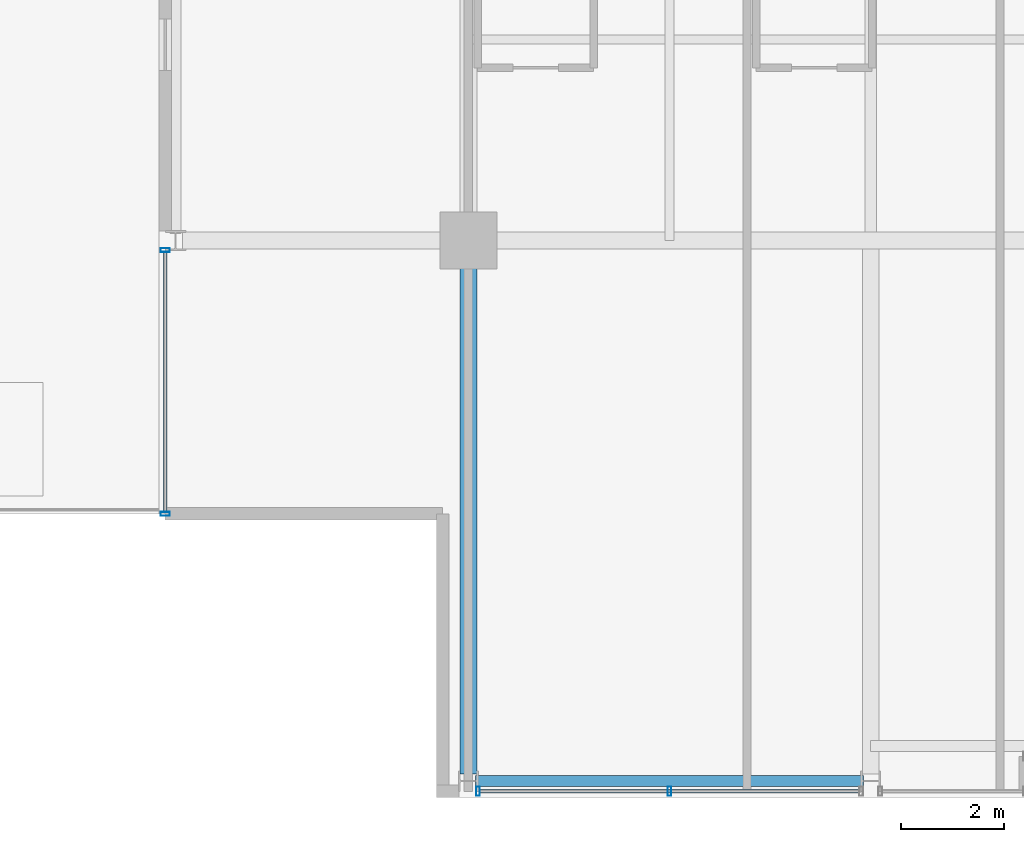
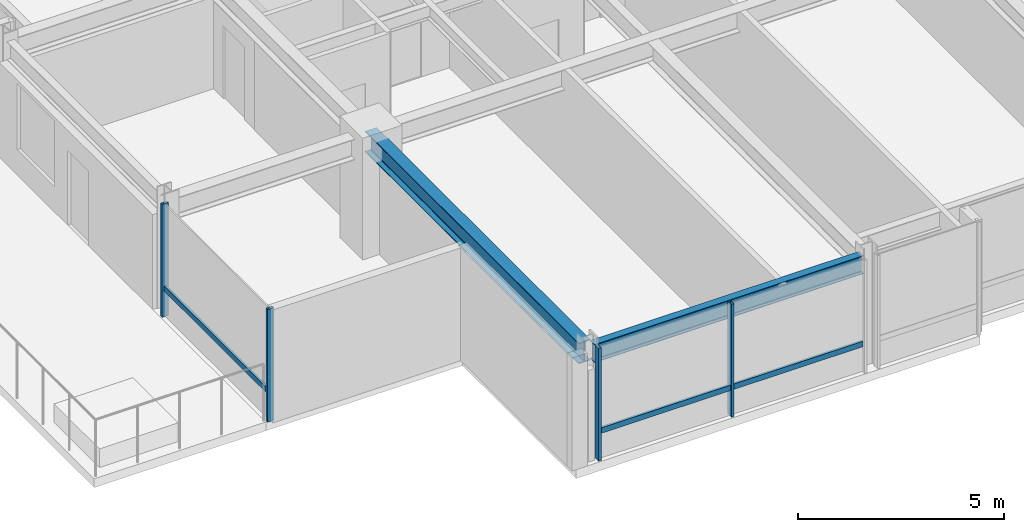
# One storey, part 2 of 32: 6 members, 2 beams, 2 elements without a shape of their own.
"""IFC4 building model written with IfcOpenShell, lengths in metres."""

from ifc_helpers import new_model, si_unit, direction, frame, origin, origin_2d, place, context, subcontext, project, spatial, hollow_rectangle, i_section, extrude, material, layer, layer_set, material_profile, profile_set, type_object, element, aggregate, save


model = new_model("IFC4")

# Units and contexts
model_context = context("Model", 3, precision=1e-05, world=origin(), true_north=direction((0.0, 1.0)))
body_context = subcontext(model_context, "Body", "Model", "MODEL_VIEW")
ifc_project = project(units=[si_unit("LENGTHUNIT", "METRE"), si_unit("AREAUNIT", "SQUARE_METRE"), si_unit("VOLUMEUNIT", "CUBIC_METRE"), si_unit("PLANEANGLEUNIT", "RADIAN"), si_unit("MASSUNIT", "GRAM", prefix="KILO")], contexts=[model_context])

# Site, building, storey
site_placement = place(None, origin())
site = spatial("IfcSite", under=ifc_project, at=site_placement, CompositionType="ELEMENT")
building_placement = place(site_placement, origin())
building = spatial("IfcBuilding", under=site, at=building_placement, Name="Drelvath Grand Hotel", CompositionType="ELEMENT")
storey_placement = place(building_placement, frame((0.0, 0.0, 205.10009765625)))
storey = spatial("IfcBuildingStorey", under=building, at=storey_placement, Name="L53", CompositionType="ELEMENT", Elevation=205.10009765625)

# Curtain wall, member
ifc_material_1 = material(Name="Platinum-Mist Anodised Aluminium Frame", Category="aluminium")
ifc_layer = layer(ifc_material_1, 0.199951171875)
ifc_layer_set = layer_set([ifc_layer], Name="Platinum-Mist Anodised Aluminium Frame")
curtain_wall_type = type_object("IfcCurtainWallType", Name="Stick Curtain Wall CW-05 Platinum Mist High-Rise", PredefinedType="NOTDEFINED", material=ifc_layer_set)
curtain_wall_1_placement = place(storey_placement, origin())
curtain_wall_1 = element("IfcCurtainWall", 1, at=curtain_wall_1_placement, inside=storey, type_object=curtain_wall_type, Name="L53 CW-05 Curtain Wall CW05-L53-WS1", PredefinedType="NOTDEFINED")
ifc_material_profile_1 = material_profile(ifc_material_1, hollow_rectangle(XDim=0.06494140625, YDim=0.159912109375, WallThickness=0.00390625, at=origin_2d()), Name="HSS160X65X4")
ifc_profile_set_1 = profile_set([ifc_material_profile_1], Name="Platinum-Mist Anodised Aluminium Frame")
member_type_1 = type_object("IfcMemberType", Name="Curtain Wall Horizontal Transom CW-05 HSS160X65X4", PredefinedType="USERDEFINED", material=ifc_profile_set_1)
member_1_placement = place(storey_placement, frame((-22.080078125, 5.5400390625, 0.8349609375), z_axis=(0.0, 1.0, 0.0), x_axis=(-1.0, 0.0, 0.0)))
member_1 = element("IfcMember", 2, at=member_1_placement, type_object=member_type_1, Name="CW05-L53-WS1 Sill Transom", ObjectType="TRANSOM", PredefinedType="USERDEFINED", context=body_context, shape_type="SweptSolid", body=[
    extrude(hollow_rectangle(XDim=0.06494140625, YDim=0.159912109375, WallThickness=0.00390625, at=origin_2d()), origin(), (0.0, 0.0, 1.0), 5.03466796875),
])

curtain_wall_2_placement = place(storey_placement, origin())
curtain_wall_2 = element("IfcCurtainWall", 3, at=curtain_wall_2_placement, inside=storey, type_object=curtain_wall_type, Name="L53 CW-05 Curtain Wall CW05-L53-SW2", PredefinedType="NOTDEFINED")
member_2_placement = place(storey_placement, frame((-8.625244140625, 0.1201171875, 0.8349609375), z_axis=(-1.0, 0.0, 0.0), x_axis=(0.0, -1.0, 0.0)))
member_2 = element("IfcMember", 4, at=member_2_placement, type_object=member_type_1, Name="CW05-L53-SW2 Sill Transom", ObjectType="TRANSOM", PredefinedType="USERDEFINED", context=body_context, shape_type="SweptSolid", body=[
    extrude(hollow_rectangle(XDim=0.06494140625, YDim=0.159912109375, WallThickness=0.00390625, at=origin_2d()), origin(), (0.0, 0.0, 1.0), 7.349365234375),
])

# Member
ifc_material_profile_2 = material_profile(ifc_material_1, hollow_rectangle(XDim=0.074951171875, YDim=0.179931640625, WallThickness=0.0048828125, at=origin_2d()), Name="HSS180X75X5")
ifc_profile_set_2 = profile_set([ifc_material_profile_2], Name="Platinum-Mist Anodised Aluminium Frame")
member_type_2 = type_object("IfcMemberType", Name="Curtain Wall Vertical Mullion CW-05 HSS180X75X5", PredefinedType="MULLION", material=ifc_profile_set_2)
member_3_placement = place(storey_placement, frame((-22.080078125, 5.5, 0.0), z_axis=(0.0, 0.0, 1.0), x_axis=(0.0, 1.0, 0.0)))
member_3 = element("IfcMember", 5, at=member_3_placement, type_object=member_type_2, Name="CW05-L53-WS1 Mullion 1", PredefinedType="MULLION", context=body_context, shape_type="SweptSolid", body=[
    extrude(hollow_rectangle(XDim=0.074951171875, YDim=0.179931640625, WallThickness=0.0048828125, at=origin_2d()), origin(), (0.0, 0.0, 1.0), 3.33984375),
])

member_4_placement = place(storey_placement, frame((-22.080078125, 10.61474609375, 0.0), z_axis=(0.0, 0.0, 1.0), x_axis=(0.0, 1.0, 0.0)))
member_4 = element("IfcMember", 6, at=member_4_placement, type_object=member_type_2, Name="CW05-L53-WS1 Mullion 2", PredefinedType="MULLION", context=body_context, shape_type="SweptSolid", body=[
    extrude(hollow_rectangle(XDim=0.074951171875, YDim=0.179931640625, WallThickness=0.0048828125, at=origin_2d()), origin(), (0.0, 0.0, 1.0), 3.33984375),
])

aggregate(curtain_wall_1, [member_3, member_4, member_1])

member_5_placement = place(storey_placement, frame((-12.300048828125, 0.1201171875, 0.0), z_axis=(0.0, 0.0, 1.0), x_axis=(1.0, 0.0, 0.0)))
member_5 = element("IfcMember", 7, at=member_5_placement, type_object=member_type_2, Name="CW05-L53-SW2 Mullion 2", PredefinedType="MULLION", context=body_context, shape_type="SweptSolid", body=[
    extrude(hollow_rectangle(XDim=0.074951171875, YDim=0.179931640625, WallThickness=0.0048828125, at=origin_2d()), origin(), (0.0, 0.0, 1.0), 3.33984375),
])

member_6_placement = place(storey_placement, frame((-16.0146484375, 0.1201171875, 0.0), z_axis=(0.0, 0.0, 1.0), x_axis=(1.0, 0.0, 0.0)))
member_6 = element("IfcMember", 8, at=member_6_placement, type_object=member_type_2, Name="CW05-L53-SW2 Mullion 3", PredefinedType="MULLION", context=body_context, shape_type="SweptSolid", body=[
    extrude(hollow_rectangle(XDim=0.074951171875, YDim=0.179931640625, WallThickness=0.0048828125, at=origin_2d()), origin(), (0.0, 0.0, 1.0), 3.33984375),
])

aggregate(curtain_wall_2, [member_5, member_6, member_2])

# Beams
ifc_material_2 = material(Name="Steel ASTM A992 Gr 50", Category="steel")
ifc_material_profile_3 = material_profile(ifc_material_2, i_section(OverallWidth=0.210205078125, OverallDepth=0.53662109375, WebThickness=0.010986328125, FlangeThickness=0.017333984375, FilletRadius=0.01806640625, at=origin_2d()), Name="W21X68")
ifc_profile_set_3 = profile_set([ifc_material_profile_3], Name="Steel ASTM A992 Gr 50")
beam_type_1 = type_object("IfcBeamType", Name="Perimeter Spandrel Beam W21X68", PredefinedType="SPANDREL", material=ifc_profile_set_3)
beam_1_placement = place(storey_placement, frame((-16.06005859375, 0.320068359375, 3.071533203125), z_axis=(1.0, 0.0, 0.0), x_axis=(0.0, 1.0, 0.0)))
element("IfcBeam", 9, at=beam_1_placement, inside=storey, type_object=beam_type_1, Name="L53 Spandrel South W", PredefinedType="SPANDREL", context=body_context, shape_type="SweptSolid", body=[
    extrude(i_section(OverallWidth=0.210205078125, OverallDepth=0.53662109375, WebThickness=0.010986328125, FlangeThickness=0.017333984375, FilletRadius=0.01806640625, at=origin_2d()), origin(), (0.0, 0.0, 1.0), 7.52001953125),
])
ifc_material_profile_4 = material_profile(ifc_material_2, i_section(OverallWidth=0.323974609375, OverallDepth=0.611083984375, WebThickness=0.0126953125, FlangeThickness=0.01904296875, FilletRadius=0.02197265625, at=origin_2d()), Name="W24X104")
ifc_profile_set_4 = profile_set([ifc_material_profile_4], Name="Steel ASTM A992 Gr 50")
beam_type_2 = type_object("IfcBeamType", Name="Primary Floor Girder W24X104", PredefinedType="BEAM", material=ifc_profile_set_4)
beam_2_placement = place(storey_placement, frame((-16.199951171875, 0.4599609375, 3.034423828125), z_axis=(0.0, 1.0, 0.0), x_axis=(-1.0, 0.0, 0.0)))
element("IfcBeam", 10, at=beam_2_placement, inside=storey, type_object=beam_type_2, Name="L53 South Grid Girder 3", PredefinedType="BEAM", context=body_context, shape_type="SweptSolid", body=[
    extrude(i_section(OverallWidth=0.323974609375, OverallDepth=0.611083984375, WebThickness=0.0126953125, FlangeThickness=0.01904296875, FilletRadius=0.02197265625, at=origin_2d()), origin(), (0.0, 0.0, 1.0), 10.340087890625),
])

save(model, "model.ifc")
